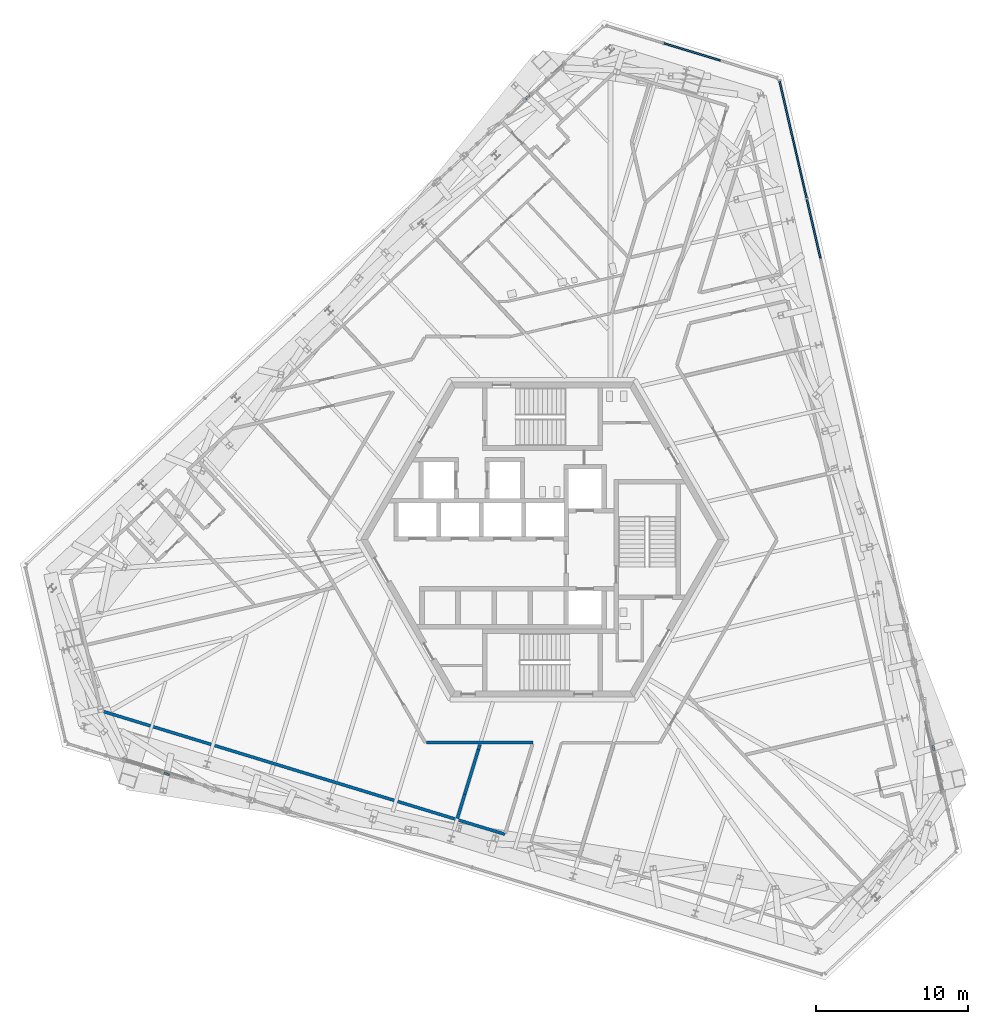
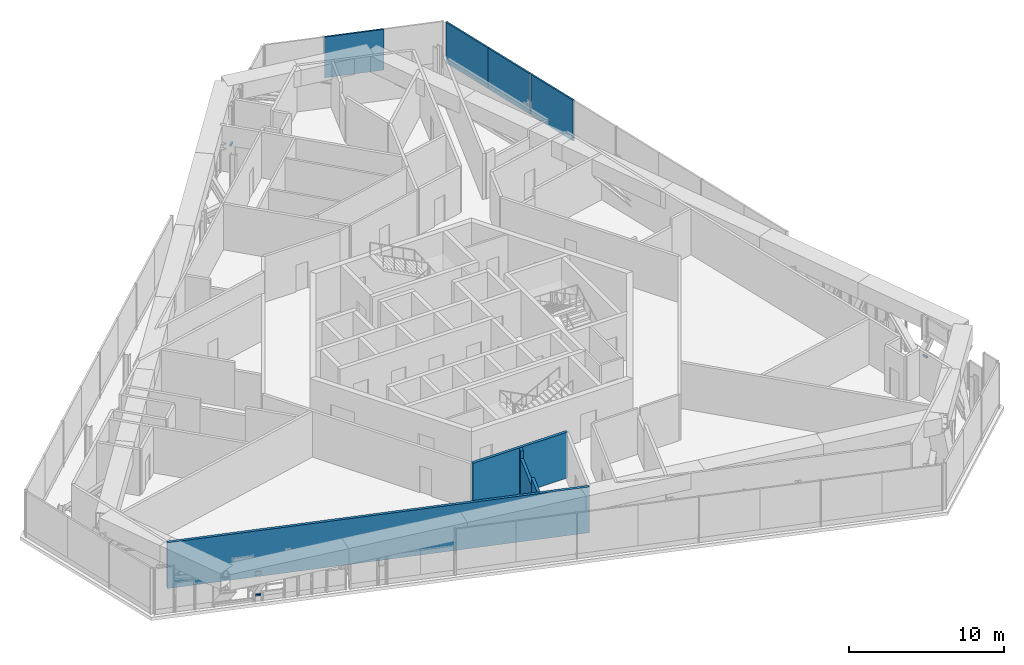
# One storey, part 17 of 31: 8 plates, 5 walls, 6 elements without a shape of their own.
"""IFC4 building model written with IfcOpenShell, lengths in metres."""

from ifc_helpers import new_model, si_unit, direction, frame, frame_2d, origin, origin_2d, place, context, subcontext, project, spatial, rectangle, extrude, source, transform, mapped, material, layer, layer_set, type_object, element, aggregate, save


model = new_model("IFC4")

# Units and contexts
model_context = context("Model", 3, precision=1e-05, world=origin(), true_north=direction((0.0, 1.0)))
body_context = subcontext(model_context, "Body", "Model", "MODEL_VIEW")
ifc_project = project(units=[si_unit("LENGTHUNIT", "METRE"), si_unit("AREAUNIT", "SQUARE_METRE"), si_unit("VOLUMEUNIT", "CUBIC_METRE"), si_unit("PLANEANGLEUNIT", "RADIAN"), si_unit("MASSUNIT", "GRAM", prefix="KILO")], contexts=[model_context])

# Site, building, storey
site_placement = place(None, origin())
site = spatial("IfcSite", under=ifc_project, at=site_placement, CompositionType="ELEMENT")
building_placement = place(site_placement, origin())
building = spatial("IfcBuilding", under=site, at=building_placement, Name="Triune Harvest Tower", CompositionType="ELEMENT")
storey_placement = place(building_placement, frame((0.0, 0.0, 134.300048828125)))
storey = spatial("IfcBuildingStorey", under=building, at=storey_placement, Name="L34", CompositionType="ELEMENT", Elevation=134.300048828125)

# Curtain wall, plate
ifc_material_1 = material(Name="Aluminium bronze anodised", Category="aluminium")
curtain_wall_type = type_object("IfcCurtainWallType", Name="CW-5 Plant louvre wall", PredefinedType="NOTDEFINED", material=ifc_material_1)
curtain_wall_1_placement = place(storey_placement, origin())
curtain_wall_1 = element("IfcCurtainWall", 1, at=curtain_wall_1_placement, inside=storey, type_object=curtain_wall_type, Name="CW-5 B3-F1 L34 run 401")
ifc_material_2 = material(Name="Aluminium bronze anodised", Category="aluminium")
ifc_layer_1 = layer(ifc_material_2, 0.1201171875)
ifc_layer_set_1 = layer_set([ifc_layer_1], Name="Aluminium bronze anodised")
plate_type = type_object("IfcPlateType", Name="GL-5 panel 120", PredefinedType="CURTAIN_PANEL", material=ifc_layer_set_1)
plate_1_placement = place(storey_placement, frame((25.774658203125, -13.73583984375, 0.39990234375), z_axis=(0.0, 0.0, 1.0), x_axis=(-0.224913673807, 0.974378694007, 0.0)))
plate_1 = element("IfcPlate", 2, at=plate_1_placement, type_object=plate_type, Name="CW-5 panel B3-F1 401.1", PredefinedType="CURTAIN_PANEL", context=body_context, shape_type="SweptSolid", body=[
    extrude(rectangle(XDim=0.37939453125, YDim=0.1201171875, at=origin_2d()), origin(), (0.0, 0.0, 1.0), 0.123291015625),
])
aggregate(curtain_wall_1, [plate_1])

curtain_wall_2_placement = place(storey_placement, origin())
curtain_wall_2 = element("IfcCurtainWall", 3, at=curtain_wall_2_placement, inside=storey, type_object=curtain_wall_type, Name="CW-5 B3-F3 L34 run 501")
plate_2_placement = place(storey_placement, frame((-0.991943359375, 29.189453125, 0.39990234375), z_axis=(0.0, 0.0, 1.0), x_axis=(-0.731425091209, -0.681921796066, 0.0)))
plate_2 = element("IfcPlate", 4, at=plate_2_placement, type_object=plate_type, Name="CW-5 panel B3-F3 501.1", PredefinedType="CURTAIN_PANEL", context=body_context, shape_type="SweptSolid", body=[
    extrude(rectangle(XDim=0.37939453125, YDim=0.1201171875, at=origin_2d()), origin(), (0.0, 0.0, 1.0), 0.12353515625),
])
aggregate(curtain_wall_2, [plate_2])

curtain_wall_3_placement = place(storey_placement, origin())
curtain_wall_3 = element("IfcCurtainWall", 5, at=curtain_wall_3_placement, inside=storey, type_object=curtain_wall_type, Name="CW-5 B3-F5 L34 run 401")
plate_3_placement = place(storey_placement, frame((-24.782470703125, -15.453857421875, 0.39990234375), z_axis=(0.0, 0.0, 1.0), x_axis=(0.956341512862, -0.292251451282, 0.0)))
plate_3 = element("IfcPlate", 6, at=plate_3_placement, type_object=plate_type, Name="CW-5 panel B3-F5 401.1", PredefinedType="CURTAIN_PANEL", context=body_context, shape_type="SweptSolid", body=[
    extrude(rectangle(XDim=0.38037109375, YDim=0.1201171875, at=origin_2d()), origin(), (0.0, 0.0, 1.0), 0.123291015625),
])
aggregate(curtain_wall_3, [plate_3])

curtain_wall_4_placement = place(storey_placement, origin())
curtain_wall_4 = element("IfcCurtainWall", 7, at=curtain_wall_4_placement, inside=storey, type_object=curtain_wall_type, Name="CW-5 B3-F5 L34 run 501")
plate_4_placement = place(storey_placement, frame((-24.782470703125, -15.453857421875, 2.05517578125), z_axis=(0.0, 0.0, 1.0), x_axis=(0.956341512862, -0.292251451282, 0.0)))
plate_4 = element("IfcPlate", 8, at=plate_4_placement, type_object=plate_type, Name="CW-5 panel B3-F5 501.1", PredefinedType="CURTAIN_PANEL", context=body_context, shape_type="SweptSolid", body=[
    extrude(rectangle(XDim=0.38037109375, YDim=0.1201171875, at=origin_2d()), origin(), (0.0, 0.0, 1.0), 0.234619140625),
])
aggregate(curtain_wall_4, [plate_4])

# Curtain wall, plates
curtain_wall_5_placement = place(storey_placement, origin())
curtain_wall_5 = element("IfcCurtainWall", 9, at=curtain_wall_5_placement, inside=storey, type_object=curtain_wall_type, Name="CW-5 B3-F1 L34 run 1601")
shared_shape_1 = source(origin(), body_context, "Body", "SweptSolid", [
    extrude(rectangle(XDim=3.9462890625, YDim=0.1201171875, at=origin_2d()), origin(), (0.0, 0.0, 1.0), 3.199951171875),
])
plate_5_placement = place(storey_placement, frame((16.066162109375, 28.316650390625, 0.39990234375), z_axis=(0.0, 0.0, 1.0), x_axis=(-0.224951333599, 0.974370000314, 0.0)))
plate_5 = element("IfcPlate", 10, at=plate_5_placement, type_object=plate_type, Name="CW-5 panel B3-F1 1601.8", PredefinedType="CURTAIN_PANEL", context=body_context, shape_type="MappedRepresentation", body=[
    mapped(shared_shape_1, transform((0.0, 0.0, 0.0), scale=1.0)),
])
shared_shape_2 = source(origin(), body_context, "Body", "SweptSolid", [
    extrude(rectangle(XDim=3.986328125, YDim=0.1201171875, at=origin_2d()), origin(), (0.0, 0.0, 1.0), 3.199951171875),
])
plate_6_placement = place(storey_placement, frame((17.873046875, 20.489990234375, 0.39990234375), z_axis=(0.0, 0.0, 1.0), x_axis=(-0.224951333599, 0.974370000314, 0.0)))
plate_6 = element("IfcPlate", 11, at=plate_6_placement, type_object=plate_type, Name="CW-5 panel B3-F1 1601.6", PredefinedType="CURTAIN_PANEL", context=body_context, shape_type="MappedRepresentation", body=[
    mapped(shared_shape_2, transform((0.0, 0.0, 0.0), scale=1.0)),
])
plate_7_placement = place(storey_placement, frame((16.958251953125, 24.451904296875, 0.39990234375), z_axis=(0.0, 0.0, 1.0), x_axis=(-0.224951333599, 0.974370000314, 0.0)))
plate_7 = element("IfcPlate", 12, at=plate_7_placement, type_object=plate_type, Name="CW-5 panel B3-F1 1601.7", PredefinedType="CURTAIN_PANEL", context=body_context, shape_type="MappedRepresentation", body=[
    mapped(shared_shape_2, transform((0.0, 0.0, 0.0), scale=1.0)),
])
aggregate(curtain_wall_5, [plate_6, plate_7, plate_5])

# Curtain wall, plate
curtain_wall_6_placement = place(storey_placement, origin())
curtain_wall_6 = element("IfcCurtainWall", 13, at=curtain_wall_6_placement, inside=storey, type_object=curtain_wall_type, Name="CW-5 B3-F2 L34 run 1")
shared_shape_3 = source(origin(), body_context, "Body", "SweptSolid", [
    extrude(rectangle(XDim=3.908935546875, YDim=0.1201171875, at=origin_2d()), origin(), (0.0, 0.0, 1.0), 3.199951171875),
])
plate_8_placement = place(storey_placement, frame((9.8525390625, 32.157470703125, 0.39990234375), z_axis=(0.0, 0.0, 1.0), x_axis=(-0.956303148607, 0.292376962095, 0.0)))
plate_8 = element("IfcPlate", 14, at=plate_8_placement, type_object=plate_type, Name="CW-5 panel B3-F2 1.2", PredefinedType="CURTAIN_PANEL", context=body_context, shape_type="MappedRepresentation", body=[
    mapped(shared_shape_3, transform((0.0, 0.0, 0.0), scale=1.0)),
])
aggregate(curtain_wall_6, [plate_8])

# Walls
ifc_material_3 = material(Name="Gypsum board on steel studs", Category="steel")
ifc_layer_2 = layer(ifc_material_3, 0.199951171875)
ifc_layer_set_2 = layer_set([ifc_layer_2], Name="Gypsum board on steel studs")
wall_type = type_object("IfcWallType", Name="Fire Wall 200 mm", PredefinedType="PARTITIONING", material=ifc_layer_set_2)
wall_1_placement = place(storey_placement, frame((-29.12109375, -11.283203125, 0.0), z_axis=(0.0, 0.0, 1.0), x_axis=(0.956308222646, -0.292360365472, 0.0)))
element("IfcWall", 15, at=wall_1_placement, inside=storey, type_object=wall_type, Name="Partition L34 024", PredefinedType="PARTITIONING", context=body_context, shape_type="SweptSolid", body=[
    extrude(rectangle(XDim=27.85693359375, YDim=0.199951171875, at=frame_2d((13.928466796875, 0.0))), origin(), (0.0, 0.0, 1.0), 3.599853515625),
])
wall_2_placement = place(storey_placement, frame((-7.662109375, -13.392333984375, 0.0), z_axis=(0.0, 0.0, 1.0), x_axis=(1.0, 0.0, 0.0)))
element("IfcWall", 16, at=wall_2_placement, inside=storey, type_object=wall_type, Name="Partition L34 028", PredefinedType="PARTITIONING", context=body_context, shape_type="SweptSolid", body=[
    extrude(rectangle(XDim=7.026123046875, YDim=0.199951171875, at=frame_2d((3.51318359375, 0.0))), origin(), (0.0, 0.0, 1.0), 3.599853515625),
])
wall_3_placement = place(storey_placement, frame((-5.13232421875, -16.786376953125, 0.0), z_axis=(0.0, 0.0, 1.0), x_axis=(0.292408495445, 0.956293507137, 0.0)))
element("IfcWall", 17, at=wall_3_placement, inside=storey, type_object=wall_type, Name="Partition L34 069a", PredefinedType="PARTITIONING", context=body_context, shape_type="SweptSolid", body=[
    extrude(rectangle(XDim=3.069091796875, YDim=0.199951171875, at=frame_2d((1.53466796875, 0.0))), origin(), (0.0, 0.0, 1.0), 2.98779296875),
])
wall_4_placement = place(storey_placement, frame((-4.23486328125, -13.851318359375, 0.0), z_axis=(0.0, 0.0, 1.0), x_axis=(0.292321921387, 0.956319974839, 0.0)))
element("IfcWall", 18, at=wall_4_placement, inside=storey, type_object=wall_type, Name="Partition L34 069b", PredefinedType="PARTITIONING", context=body_context, shape_type="SweptSolid", body=[
    extrude(rectangle(XDim=0.35986328125, YDim=0.199951171875, at=frame_2d((0.179931640625, 0.0))), origin(), (0.0, 0.0, 1.0), 3.599853515625),
])
shared_shape_4 = source(origin(), body_context, "Body", "SweptSolid", [
    extrude(rectangle(XDim=1.670654296875, YDim=0.199951171875, at=frame_2d((0.83544921875, 0.0))), origin(), (0.0, 0.0, 1.0), 3.599853515625),
])
wall_5_placement = place(storey_placement, frame((-5.620849609375, -18.384033203125, 0.0), z_axis=(0.0, 0.0, 1.0), x_axis=(0.292411585724, 0.956292562208, 0.0)))
element("IfcWall", 19, at=wall_5_placement, inside=storey, type_object=wall_type, Name="Partition L34 069", PredefinedType="PARTITIONING", context=body_context, shape_type="MappedRepresentation", body=[
    mapped(shared_shape_4, transform((0.0, 0.0, 0.0), scale=1.0)),
])

save(model, "model.ifc")
